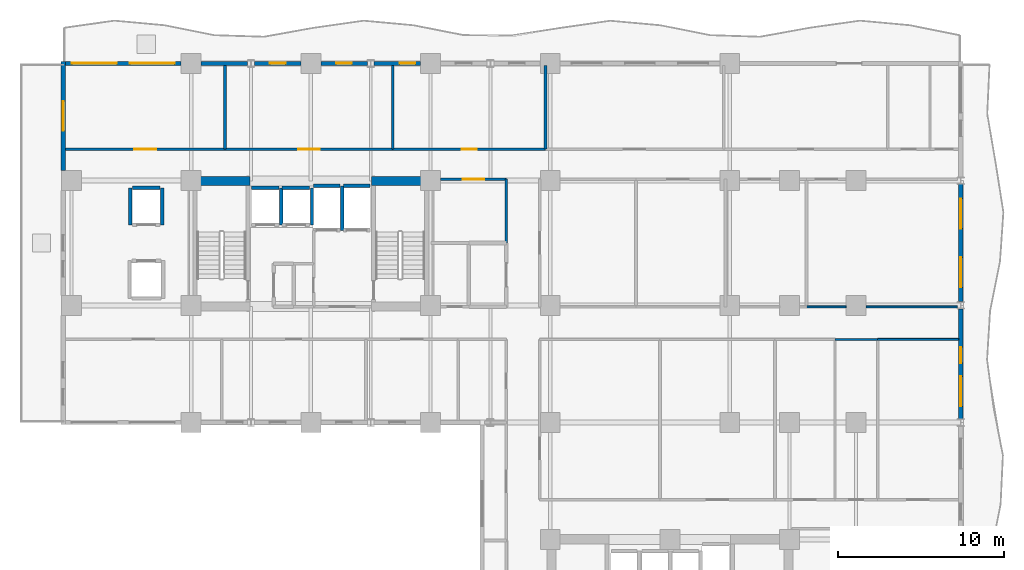
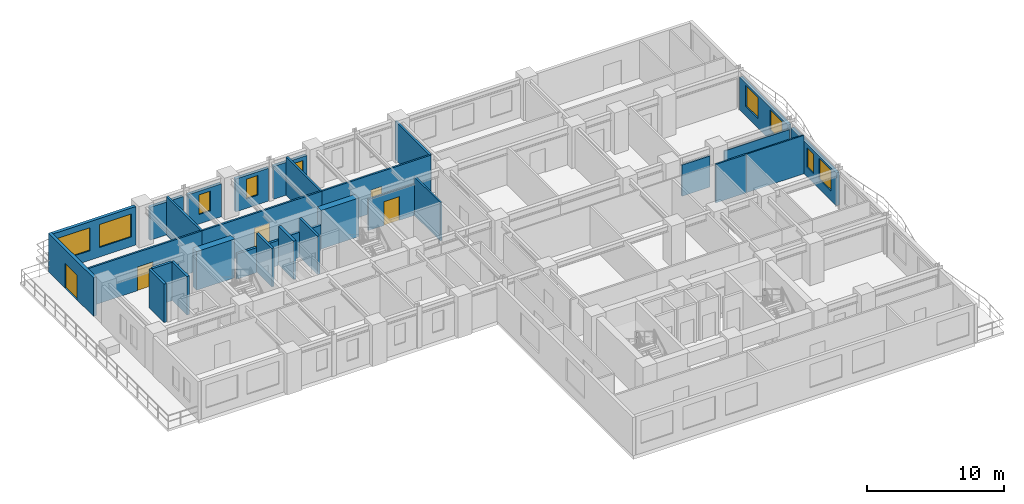
# One storey, part 6 of 11: 32 walls, 9 windows, 5 doors, 14 openings.
"""IFC4 building model written with IfcOpenShell, lengths in metres."""

from ifc_helpers import new_model, si_unit, direction, frame, frame_2d, origin, place, context, subcontext, project, spatial, rectangle, extrude, material, layer, layer_set, type_object, element, fill, save


model = new_model("IFC4")

# Units and contexts
model_context = context("Model", 3, precision=1e-05, world=origin(), true_north=direction((0.0, 1.0)))
body_context = subcontext(model_context, "Body", "Model", "MODEL_VIEW")
ifc_project = project(units=[si_unit("LENGTHUNIT", "METRE"), si_unit("AREAUNIT", "SQUARE_METRE"), si_unit("VOLUMEUNIT", "CUBIC_METRE"), si_unit("PLANEANGLEUNIT", "RADIAN"), si_unit("MASSUNIT", "GRAM", prefix="KILO")], contexts=[model_context])

# Site, building, storey
site_placement = place(None, origin())
site = spatial("IfcSite", under=ifc_project, at=site_placement, CompositionType="ELEMENT")
building_placement = place(site_placement, origin())
building = spatial("IfcBuilding", under=site, at=building_placement, Name="Kaliganga Portal Commons", CompositionType="ELEMENT")
storey_placement = place(building_placement, frame((0.0, 0.0, 78.60009765625)))
storey = spatial("IfcBuildingStorey", under=building, at=storey_placement, Name="L19", CompositionType="ELEMENT", Elevation=78.60009765625)

# Walls
ifc_material_1 = material(Name="Concrete C60/75", Category="concrete")
ifc_layer_1 = layer(ifc_material_1, 0.550048828125)
ifc_layer_set_1 = layer_set([ifc_layer_1], Name="Concrete C60/75")
wall_type_1 = type_object("IfcWallType", Name="WL-CORE-550", PredefinedType="SHEAR", material=ifc_layer_set_1)
for number, where, z_axis, x_axis, name in (
    (1, (14.75, 36.125, 0.0), (0.0, 0.0, 1.0), (1.0, 0.0, 0.0), "Core A N-West Shear Wall L19"),
    (2, (25.25, 36.125, 0.0), (0.0, 0.0, 1.0), (1.0, 0.0, 0.0), "Core A N-East Shear Wall L19"),
):
    element("IfcWall", number, at=place(storey_placement, frame(where, z_axis=z_axis, x_axis=x_axis)), inside=storey, type_object=wall_type_1, Name=name, PredefinedType="SHEAR", context=body_context, shape_type="SweptSolid", body=[
        extrude(rectangle(XDim=3.199951171875, YDim=0.550048828125, at=frame_2d((1.60009765625, 0.0))), origin(), (0.0, 0.0, 1.0), 3.449951171875),
    ])

# Wall, openings, windows
ifc_material_2 = material(Name="Insulated Aluminium-Clad Spandrel Assembly", Category="aluminium")
ifc_layer_2 = layer(ifc_material_2, 0.260009765625)
ifc_layer_set_2 = layer_set([ifc_layer_2], Name="Insulated Aluminium-Clad Spandrel Assembly")
wall_type_2 = type_object("IfcWallType", Name="WL-EXT-SPAND-260", PredefinedType="STANDARD", material=ifc_layer_set_2)
wall_1_placement = place(storey_placement, frame((60.699951171875, 28.43408203125, 0.0), z_axis=(0.0, 0.0, 1.0), x_axis=(0.0, -1.0, 0.0)))
wall_1 = element("IfcWall", 3, at=wall_1_placement, inside=storey, type_object=wall_type_2, Name="Exterior Envelope Wall L19 P1-E01-S4", PredefinedType="STANDARD", context=body_context, shape_type="SweptSolid", body=[
    extrude(rectangle(XDim=6.6181640625, YDim=0.260009765625, at=frame_2d((3.30908203125, 0.0))), origin(), (0.0, 0.0, 1.0), 2.929931640625),
])
opening_1_placement = place(wall_1_placement, frame((4.0634765625, 0.0, 0.85009765625)))
opening_1 = element("IfcOpeningElement", 4, at=opening_1_placement, cuts=wall_1, Name="Opening W-01", PredefinedType="OPENING", context=body_context, shape_type="SweptSolid", body=[
    extrude(rectangle(XDim=1.800048828125, YDim=1.85009765625, at=frame_2d((0.89990234375, 0.925048828125))), frame((0.0, 0.14013671875, 0.0), z_axis=(0.0, -1.0, 0.0), x_axis=(1.0, 0.0, 0.0)), (0.0, 0.0, 1.0), 0.280029296875),
])
opening_2_placement = place(wall_1_placement, frame((2.3046875, 0.0, 0.85009765625)))
opening_2 = element("IfcOpeningElement", 5, at=opening_2_placement, cuts=wall_1, Name="Opening W-04", PredefinedType="OPENING", context=body_context, shape_type="SweptSolid", body=[
    extrude(rectangle(XDim=0.949951171875, YDim=1.75, at=frame_2d((0.47509765625, 0.875))), frame((0.0, 0.14013671875, 0.0), z_axis=(0.0, -1.0, 0.0), x_axis=(1.0, 0.0, 0.0)), (0.0, 0.0, 1.0), 0.280029296875),
])
ifc_material_3 = material(Name="Thermally Broken Aluminium and Low-E Double Glazing", Category="aluminium")
window_type_1 = type_object("IfcWindowType", Name="WIN-NARROW-950", PartitioningType="SINGLE_PANEL", PredefinedType="WINDOW", material=ifc_material_3)
window_1_placement = place(opening_2_placement, origin())
window_1 = element("IfcWindow", 6, at=window_1_placement, inside=storey, type_object=window_type_1, Name="Facade Window L19-P1E01S4-N5", OverallHeight=1.75, OverallWidth=0.949951171875, PartitioningType="SINGLE_PANEL", PredefinedType="WINDOW", context=body_context, shape_type="SweptSolid", body=[
    extrude(rectangle(XDim=0.949951171875, YDim=1.75, at=frame_2d((0.47509765625, 0.875))), frame((0.0, 0.030029296875, 0.0), z_axis=(0.0, -1.0, 0.0), x_axis=(1.0, 0.0, 0.0)), (0.0, 0.0, 1.0), 0.06005859375),
])
fill(opening_2, window_1)
window_type_2 = type_object("IfcWindowType", Name="WIN-STD-1800", PartitioningType="DOUBLE_PANEL_VERTICAL", PredefinedType="WINDOW", material=ifc_material_3)
window_2_placement = place(opening_1_placement, origin())
window_2 = element("IfcWindow", 7, at=window_2_placement, inside=storey, type_object=window_type_2, Name="Facade Window L19-P1E01S4-01", OverallHeight=1.85009765625, OverallWidth=1.800048828125, PartitioningType="SINGLE_PANEL", PredefinedType="WINDOW", context=body_context, shape_type="SweptSolid", body=[
    extrude(rectangle(XDim=1.800048828125, YDim=1.85009765625, at=frame_2d((0.89990234375, 0.925048828125))), frame((0.0, 0.030029296875, 0.0), z_axis=(0.0, -1.0, 0.0), x_axis=(1.0, 0.0, 0.0)), (0.0, 0.0, 1.0), 0.06005859375),
])
fill(opening_1, window_2)

wall_2_placement = place(storey_placement, frame((60.699951171875, 35.93408203125, 0.0), z_axis=(0.0, 0.0, 1.0), x_axis=(0.0, -1.0, 0.0)))
wall_2 = element("IfcWall", 8, at=wall_2_placement, inside=storey, type_object=wall_type_2, Name="Exterior Envelope Wall L19 P1-E01-S5", PredefinedType="STANDARD", context=body_context, shape_type="SweptSolid", body=[
    extrude(rectangle(XDim=7.068115234375, YDim=0.260009765625, at=frame_2d((3.5341796875, 0.0))), origin(), (0.0, 0.0, 1.0), 2.929931640625),
])
opening_3_placement = place(wall_2_placement, frame((0.866943359375, 0.0, 0.85009765625)))
opening_3 = element("IfcOpeningElement", 9, at=opening_3_placement, cuts=wall_2, Name="Opening W-01", PredefinedType="OPENING", context=body_context, shape_type="SweptSolid", body=[
    extrude(rectangle(XDim=1.800048828125, YDim=1.85009765625, at=frame_2d((0.89990234375, 0.925048828125))), frame((0.0, 0.14013671875, 0.0), z_axis=(0.0, -1.0, 0.0), x_axis=(1.0, 0.0, 0.0)), (0.0, 0.0, 1.0), 0.280029296875),
])
opening_4_placement = place(wall_2_placement, frame((4.40087890625, 0.0, 0.85009765625)))
opening_4 = element("IfcOpeningElement", 10, at=opening_4_placement, cuts=wall_2, Name="Opening W-01", PredefinedType="OPENING", context=body_context, shape_type="SweptSolid", body=[
    extrude(rectangle(XDim=1.800048828125, YDim=1.85009765625, at=frame_2d((0.89990234375, 0.925048828125))), frame((0.0, 0.14013671875, 0.0), z_axis=(0.0, -1.0, 0.0), x_axis=(1.0, 0.0, 0.0)), (0.0, 0.0, 1.0), 0.280029296875),
])
window_3_placement = place(opening_3_placement, origin())
window_3 = element("IfcWindow", 11, at=window_3_placement, inside=storey, type_object=window_type_2, Name="Facade Window L19-P1E01S5-00", OverallHeight=1.85009765625, OverallWidth=1.800048828125, PartitioningType="SINGLE_PANEL", PredefinedType="WINDOW", context=body_context, shape_type="SweptSolid", body=[
    extrude(rectangle(XDim=1.800048828125, YDim=1.85009765625, at=frame_2d((0.89990234375, 0.925048828125))), frame((0.0, 0.030029296875, 0.0), z_axis=(0.0, -1.0, 0.0), x_axis=(1.0, 0.0, 0.0)), (0.0, 0.0, 1.0), 0.06005859375),
])
fill(opening_3, window_3)
window_4_placement = place(opening_4_placement, origin())
window_4 = element("IfcWindow", 12, at=window_4_placement, inside=storey, type_object=window_type_2, Name="Facade Window L19-P1E01S5-01", OverallHeight=1.85009765625, OverallWidth=1.800048828125, PartitioningType="SINGLE_PANEL", PredefinedType="WINDOW", context=body_context, shape_type="SweptSolid", body=[
    extrude(rectangle(XDim=1.800048828125, YDim=1.85009765625, at=frame_2d((0.89990234375, 0.925048828125))), frame((0.0, 0.030029296875, 0.0), z_axis=(0.0, -1.0, 0.0), x_axis=(1.0, 0.0, 0.0)), (0.0, 0.0, 1.0), 0.06005859375),
])
fill(opening_4, window_4)

# Wall, opening, window
wall_3_placement = place(storey_placement, frame((25.405517578125, 43.199951171875, 0.0), z_axis=(0.0, 0.0, 1.0), x_axis=(1.0, 0.0, 0.0)))
wall_3 = element("IfcWall", 13, at=wall_3_placement, inside=storey, type_object=wall_type_2, Name="Exterior Envelope Wall L19 P1-E02-S5", PredefinedType="STANDARD", context=body_context, shape_type="SweptSolid", body=[
    extrude(rectangle(XDim=2.79345703125, YDim=0.260009765625, at=frame_2d((1.396728515625, 0.0))), origin(), (0.0, 0.0, 1.0), 2.929931640625),
])
opening_5_placement = place(wall_3_placement, frame((1.536376953125, 0.0, 0.85009765625)))
opening_5 = element("IfcOpeningElement", 14, at=opening_5_placement, cuts=wall_3, Name="Opening W-04", PredefinedType="OPENING", context=body_context, shape_type="SweptSolid", body=[
    extrude(rectangle(XDim=0.949951171875, YDim=1.75, at=frame_2d((0.47509765625, 0.875))), frame((0.0, 0.14013671875, 0.0), z_axis=(0.0, -1.0, 0.0), x_axis=(1.0, 0.0, 0.0)), (0.0, 0.0, 1.0), 0.280029296875),
])
window_5_placement = place(opening_5_placement, origin())
window_5 = element("IfcWindow", 15, at=window_5_placement, inside=storey, type_object=window_type_1, Name="Facade Window L19-P1E02S5-N4", OverallHeight=1.75, OverallWidth=0.949951171875, PartitioningType="SINGLE_PANEL", PredefinedType="WINDOW", context=body_context, shape_type="SweptSolid", body=[
    extrude(rectangle(XDim=0.949951171875, YDim=1.75, at=frame_2d((0.47509765625, 0.875))), frame((0.0, 0.030029296875, 0.0), z_axis=(0.0, -1.0, 0.0), x_axis=(1.0, 0.0, 0.0)), (0.0, 0.0, 1.0), 0.06005859375),
])
fill(opening_5, window_5)

wall_4_placement = place(storey_placement, frame((22.200927734375, 43.199951171875, 0.0), z_axis=(0.0, 0.0, 1.0), x_axis=(1.0, 0.0, 0.0)))
wall_4 = element("IfcWall", 16, at=wall_4_placement, inside=storey, type_object=wall_type_2, Name="Exterior Envelope Wall L19 P1-E02-S6", PredefinedType="STANDARD", context=body_context, shape_type="SweptSolid", body=[
    extrude(rectangle(XDim=2.79345703125, YDim=0.260009765625, at=frame_2d((1.396728515625, 0.0))), origin(), (0.0, 0.0, 1.0), 2.929931640625),
])
opening_6_placement = place(wall_4_placement, frame((0.921630859375, 0.0, 0.85009765625)))
opening_6 = element("IfcOpeningElement", 17, at=opening_6_placement, cuts=wall_4, Name="Opening W-04", PredefinedType="OPENING", context=body_context, shape_type="SweptSolid", body=[
    extrude(rectangle(XDim=0.949951171875, YDim=1.75, at=frame_2d((0.47509765625, 0.875))), frame((0.0, 0.14013671875, 0.0), z_axis=(0.0, -1.0, 0.0), x_axis=(1.0, 0.0, 0.0)), (0.0, 0.0, 1.0), 0.280029296875),
])
window_6_placement = place(opening_6_placement, origin())
window_6 = element("IfcWindow", 18, at=window_6_placement, inside=storey, type_object=window_type_1, Name="Facade Window L19-P1E02S6-00", OverallHeight=1.75, OverallWidth=0.949951171875, PartitioningType="SINGLE_PANEL", PredefinedType="WINDOW", context=body_context, shape_type="SweptSolid", body=[
    extrude(rectangle(XDim=0.949951171875, YDim=1.75, at=frame_2d((0.47509765625, 0.875))), frame((0.0, 0.030029296875, 0.0), z_axis=(0.0, -1.0, 0.0), x_axis=(1.0, 0.0, 0.0)), (0.0, 0.0, 1.0), 0.06005859375),
])
fill(opening_6, window_6)

wall_5_placement = place(storey_placement, frame((18.20556640625, 43.199951171875, 0.0), z_axis=(0.0, 0.0, 1.0), x_axis=(1.0, 0.0, 0.0)))
wall_5 = element("IfcWall", 19, at=wall_5_placement, inside=storey, type_object=wall_type_2, Name="Exterior Envelope Wall L19 P1-E02-S7", PredefinedType="STANDARD", context=body_context, shape_type="SweptSolid", body=[
    extrude(rectangle(XDim=2.79345703125, YDim=0.260009765625, at=frame_2d((1.396728515625, 0.0))), origin(), (0.0, 0.0, 1.0), 2.929931640625),
])
opening_7_placement = place(wall_5_placement, frame((0.921630859375, 0.0, 0.85009765625)))
opening_7 = element("IfcOpeningElement", 20, at=opening_7_placement, cuts=wall_5, Name="Opening W-04", PredefinedType="OPENING", context=body_context, shape_type="SweptSolid", body=[
    extrude(rectangle(XDim=0.949951171875, YDim=1.75, at=frame_2d((0.47509765625, 0.875))), frame((0.0, 0.14013671875, 0.0), z_axis=(0.0, -1.0, 0.0), x_axis=(1.0, 0.0, 0.0)), (0.0, 0.0, 1.0), 0.280029296875),
])
window_7_placement = place(opening_7_placement, origin())
window_7 = element("IfcWindow", 21, at=window_7_placement, inside=storey, type_object=window_type_1, Name="Facade Window L19-P1E02S7-00", OverallHeight=1.75, OverallWidth=0.949951171875, PartitioningType="SINGLE_PANEL", PredefinedType="WINDOW", context=body_context, shape_type="SweptSolid", body=[
    extrude(rectangle(XDim=0.949951171875, YDim=1.75, at=frame_2d((0.47509765625, 0.875))), frame((0.0, 0.030029296875, 0.0), z_axis=(0.0, -1.0, 0.0), x_axis=(1.0, 0.0, 0.0)), (0.0, 0.0, 1.0), 0.06005859375),
])
fill(opening_7, window_7)

# Wall
wall_6_placement = place(storey_placement, frame((15.0009765625, 43.199951171875, 0.0), z_axis=(0.0, 0.0, 1.0), x_axis=(1.0, 0.0, 0.0)))
element("IfcWall", 22, at=wall_6_placement, inside=storey, type_object=wall_type_2, Name="Exterior Envelope Wall L19 P1-E02-S8", PredefinedType="STANDARD", context=body_context, shape_type="SweptSolid", body=[
    extrude(rectangle(XDim=2.79345703125, YDim=0.260009765625, at=frame_2d((1.396728515625, 0.0))), origin(), (0.0, 0.0, 1.0), 2.929931640625),
])

# Wall, openings, windows
wall_7_placement = place(storey_placement, frame((6.8349609375, 43.199951171875, 0.0), z_axis=(0.0, 0.0, 1.0), x_axis=(1.0, 0.0, 0.0)))
wall_7 = element("IfcWall", 23, at=wall_7_placement, inside=storey, type_object=wall_type_2, Name="Exterior Envelope Wall L19 P1-E02-S9", PredefinedType="STANDARD", context=body_context, shape_type="SweptSolid", body=[
    extrude(rectangle(XDim=6.964111328125, YDim=0.260009765625, at=frame_2d((3.48193359375, 0.0))), origin(), (0.0, 0.0, 1.0), 3.429931640625),
])
opening_8_placement = place(wall_7_placement, frame((0.39111328125, 0.0, 0.85009765625)))
opening_8 = element("IfcOpeningElement", 24, at=opening_8_placement, cuts=wall_7, Name="Opening W-07", PredefinedType="OPENING", context=body_context, shape_type="SweptSolid", body=[
    extrude(rectangle(XDim=2.699951171875, YDim=2.050048828125, at=frame_2d((1.35009765625, 1.02490234375))), frame((0.0, 0.14013671875, 0.0), z_axis=(0.0, -1.0, 0.0), x_axis=(1.0, 0.0, 0.0)), (0.0, 0.0, 1.0), 0.280029296875),
])
opening_9_placement = place(wall_7_placement, frame((3.873046875, 0.0, 0.85009765625)))
opening_9 = element("IfcOpeningElement", 25, at=opening_9_placement, cuts=wall_7, Name="Opening W-07", PredefinedType="OPENING", context=body_context, shape_type="SweptSolid", body=[
    extrude(rectangle(XDim=2.699951171875, YDim=2.050048828125, at=frame_2d((1.35009765625, 1.02490234375))), frame((0.0, 0.14013671875, 0.0), z_axis=(0.0, -1.0, 0.0), x_axis=(1.0, 0.0, 0.0)), (0.0, 0.0, 1.0), 0.280029296875),
])
window_type_3 = type_object("IfcWindowType", Name="WIN-LOUNGE-2700", PartitioningType="TRIPLE_PANEL_VERTICAL", PredefinedType="WINDOW", material=ifc_material_3)
window_8_placement = place(opening_8_placement, origin())
window_8 = element("IfcWindow", 26, at=window_8_placement, inside=storey, type_object=window_type_3, Name="Facade Window L19-P1E02S9-00", OverallHeight=2.050048828125, OverallWidth=2.699951171875, PartitioningType="SINGLE_PANEL", PredefinedType="WINDOW", context=body_context, shape_type="SweptSolid", body=[
    extrude(rectangle(XDim=2.699951171875, YDim=2.050048828125, at=frame_2d((1.35009765625, 1.02490234375))), frame((0.0, 0.030029296875, 0.0), z_axis=(0.0, -1.0, 0.0), x_axis=(1.0, 0.0, 0.0)), (0.0, 0.0, 1.0), 0.06005859375),
])
fill(opening_8, window_8)
window_9_placement = place(opening_9_placement, origin())
window_9 = element("IfcWindow", 27, at=window_9_placement, inside=storey, type_object=window_type_3, Name="Facade Window L19-P1E02S9-01", OverallHeight=2.050048828125, OverallWidth=2.699951171875, PartitioningType="SINGLE_PANEL", PredefinedType="WINDOW", context=body_context, shape_type="SweptSolid", body=[
    extrude(rectangle(XDim=2.699951171875, YDim=2.050048828125, at=frame_2d((1.35009765625, 1.02490234375))), frame((0.0, 0.030029296875, 0.0), z_axis=(0.0, -1.0, 0.0), x_axis=(1.0, 0.0, 0.0)), (0.0, 0.0, 1.0), 0.06005859375),
])
fill(opening_9, window_9)

# Wall, opening, door
wall_8_placement = place(storey_placement, frame((6.699951171875, 36.7509765625, 0.0), z_axis=(0.0, 0.0, 1.0), x_axis=(0.0, 1.0, 0.0)))
wall_8 = element("IfcWall", 28, at=wall_8_placement, inside=storey, type_object=wall_type_2, Name="Exterior Envelope Wall L19 P1-E03-S1", PredefinedType="STANDARD", context=body_context, shape_type="SweptSolid", body=[
    extrude(rectangle(XDim=6.5791015625, YDim=0.260009765625, at=frame_2d((3.28955078125, 0.0))), origin(), (0.0, 0.0, 1.0), 3.429931640625),
])
opening_10_placement = place(wall_8_placement, frame((2.389892578125, 0.0, 0.0)))
opening_10 = element("IfcOpeningElement", 29, at=opening_10_placement, cuts=wall_8, Name="Opening TD-01", PredefinedType="OPENING", context=body_context, shape_type="SweptSolid", body=[
    extrude(rectangle(XDim=1.800048828125, YDim=2.199951171875, at=frame_2d((0.89990234375, 1.10009765625))), frame((0.0, 0.14013671875, 0.0), z_axis=(0.0, -1.0, 0.0), x_axis=(1.0, 0.0, 0.0)), (0.0, 0.0, 1.0), 0.280029296875),
])
ifc_material_4 = material(Name="Anodized Aluminium and Laminated Safety Glass", Category="aluminium")
door_type_1 = type_object("IfcDoorType", Name="DR-TERR-1800", OperationType="DOUBLE_DOOR_SINGLE_SWING", PredefinedType="DOOR", material=ifc_material_4)
door_1_placement = place(opening_10_placement, origin())
door_1 = element("IfcDoor", 30, at=door_1_placement, inside=storey, type_object=door_type_1, Name="Terrace Access Door L19 skygarden_l19", OperationType="DOUBLE_DOOR_SINGLE_SWING", OverallHeight=2.199951171875, OverallWidth=1.800048828125, PredefinedType="DOOR", context=body_context, shape_type="SweptSolid", body=[
    extrude(rectangle(XDim=1.800048828125, YDim=2.199951171875, at=frame_2d((0.89990234375, 1.10009765625))), frame((0.0, 0.02490234375, 0.0), z_axis=(0.0, -1.0, 0.0), x_axis=(1.0, 0.0, 0.0)), (0.0, 0.0, 1.0), 0.050048828125),
])
fill(opening_10, door_1)

ifc_material_5 = material(Name="Fire-Rated Gypsum Board on Steel Stud", Category="steel")
ifc_layer_3 = layer(ifc_material_5, 0.14990234375)
ifc_layer_set_3 = layer_set([ifc_layer_3], Name="Fire-Rated Gypsum Board on Steel Stud")
wall_type_3 = type_object("IfcWallType", Name="WL-PART-CORR-150", PredefinedType="PARTITIONING", material=ifc_layer_set_3)
wall_9_placement = place(storey_placement, frame((16.43994140625, 38.0400390625, 0.0), z_axis=(0.0, 0.0, 1.0), x_axis=(1.0, 0.0, 0.0)))
wall_9 = element("IfcWall", 31, at=wall_9_placement, inside=storey, type_object=wall_type_3, Name="Interior Partition L19-007", PredefinedType="PARTITIONING", context=body_context, shape_type="SweptSolid", body=[
    extrude(rectangle(XDim=10.080078125, YDim=0.14990234375, at=frame_2d((5.0400390625, 0.0))), origin(), (0.0, 0.0, 1.0), 3.429931640625),
])
opening_11_placement = place(wall_9_placement, frame((4.389892578125, 0.0, 0.0)))
opening_11 = element("IfcOpeningElement", 32, at=opening_11_placement, cuts=wall_9, Name="Opening RD-03", PredefinedType="OPENING", context=body_context, shape_type="SweptSolid", body=[
    extrude(rectangle(XDim=1.300048828125, YDim=2.1201171875, at=frame_2d((0.64990234375, 1.06005859375))), frame((0.0, 0.0849609375, 0.0), z_axis=(0.0, -1.0, 0.0), x_axis=(1.0, 0.0, 0.0)), (0.0, 0.0, 1.0), 0.169921875),
])
ifc_material_6 = material(Name="Glazed Timber Seminar Vision Door", Category="wood")
door_type_2 = type_object("IfcDoorType", Name="DR-STUDY-1300", OperationType="DOUBLE_DOOR_SINGLE_SWING", PredefinedType="DOOR", material=ifc_material_6)
door_2_placement = place(opening_11_placement, origin())
door_2 = element("IfcDoor", 33, at=door_2_placement, inside=storey, type_object=door_type_2, Name="Interior Door L19-AN02", OperationType="DOUBLE_DOOR_SINGLE_SWING", OverallHeight=2.1201171875, OverallWidth=1.300048828125, PredefinedType="DOOR", context=body_context, shape_type="SweptSolid", body=[
    extrude(rectangle(XDim=1.300048828125, YDim=2.1201171875, at=frame_2d((0.64990234375, 1.06005859375))), frame((0.0, 0.02490234375, 0.0), z_axis=(0.0, -1.0, 0.0), x_axis=(1.0, 0.0, 0.0)), (0.0, 0.0, 1.0), 0.050048828125),
])
fill(opening_11, door_2)

wall_10_placement = place(storey_placement, frame((6.83203125, 38.0400390625, 0.0), z_axis=(0.0, 0.0, 1.0), x_axis=(1.0, 0.0, 0.0)))
wall_10 = element("IfcWall", 34, at=wall_10_placement, inside=storey, type_object=wall_type_3, Name="Interior Partition L19-009", PredefinedType="PARTITIONING", context=body_context, shape_type="SweptSolid", body=[
    extrude(rectangle(XDim=9.60791015625, YDim=0.14990234375, at=frame_2d((4.803955078125, 0.0))), origin(), (0.0, 0.0, 1.0), 3.429931640625),
])
opening_12_placement = place(wall_10_placement, frame((4.154052734375, 0.0, 0.0)))
opening_12 = element("IfcOpeningElement", 35, at=opening_12_placement, cuts=wall_10, Name="Opening RD-03", PredefinedType="OPENING", context=body_context, shape_type="SweptSolid", body=[
    extrude(rectangle(XDim=1.300048828125, YDim=2.1201171875, at=frame_2d((0.64990234375, 1.06005859375))), frame((0.0, 0.0849609375, 0.0), z_axis=(0.0, -1.0, 0.0), x_axis=(1.0, 0.0, 0.0)), (0.0, 0.0, 1.0), 0.169921875),
])
door_3_placement = place(opening_12_placement, origin())
door_3 = element("IfcDoor", 36, at=door_3_placement, inside=storey, type_object=door_type_2, Name="Interior Door L19-AN01", OperationType="DOUBLE_DOOR_SINGLE_SWING", OverallHeight=2.1201171875, OverallWidth=1.300048828125, PredefinedType="DOOR", context=body_context, shape_type="SweptSolid", body=[
    extrude(rectangle(XDim=1.300048828125, YDim=2.1201171875, at=frame_2d((0.64990234375, 1.06005859375))), frame((0.0, 0.02490234375, 0.0), z_axis=(0.0, -1.0, 0.0), x_axis=(1.0, 0.0, 0.0)), (0.0, 0.0, 1.0), 0.050048828125),
])
fill(opening_12, door_3)

wall_11_placement = place(storey_placement, frame((26.52001953125, 38.0400390625, 0.0), z_axis=(0.0, 0.0, 1.0), x_axis=(1.0, 0.0, 0.0)))
wall_11 = element("IfcWall", 37, at=wall_11_placement, inside=storey, type_object=wall_type_3, Name="Interior Partition L19-014", PredefinedType="PARTITIONING", context=body_context, shape_type="SweptSolid", body=[
    extrude(rectangle(XDim=9.199951171875, YDim=0.14990234375, at=frame_2d((4.60009765625, 0.0))), origin(), (0.0, 0.0, 1.0), 3.429931640625),
])
opening_13_placement = place(wall_11_placement, frame((4.14990234375, 0.0, 0.0)))
opening_13 = element("IfcOpeningElement", 38, at=opening_13_placement, cuts=wall_11, Name="Opening RD-01", PredefinedType="OPENING", context=body_context, shape_type="SweptSolid", body=[
    extrude(rectangle(XDim=0.89990234375, YDim=2.080078125, at=frame_2d((0.449951171875, 1.0400390625))), frame((0.0, 0.0849609375, 0.0), z_axis=(0.0, -1.0, 0.0), x_axis=(1.0, 0.0, 0.0)), (0.0, 0.0, 1.0), 0.169921875),
])
ifc_material_7 = material(Name="Engineered Timber Flush Door", Category="wood")
door_type_3 = type_object("IfcDoorType", Name="DR-ROOM-900", OperationType="NOTDEFINED", PredefinedType="DOOR", material=ifc_material_7)
door_4_placement = place(opening_13_placement, origin())
door_4 = element("IfcDoor", 39, at=door_4_placement, inside=storey, type_object=door_type_3, Name="Interior Door L19-AN03", OperationType="SINGLE_SWING_RIGHT", OverallHeight=2.080078125, OverallWidth=0.89990234375, PredefinedType="DOOR", context=body_context, shape_type="SweptSolid", body=[
    extrude(rectangle(XDim=0.89990234375, YDim=2.080078125, at=frame_2d((0.449951171875, 1.0400390625))), frame((0.0, 0.02490234375, 0.0), z_axis=(0.0, -1.0, 0.0), x_axis=(1.0, 0.0, 0.0)), (0.0, 0.0, 1.0), 0.050048828125),
])
fill(opening_13, door_4)

wall_12_placement = place(storey_placement, frame((29.39990234375, 36.239990234375, 0.0), z_axis=(0.0, 0.0, 1.0), x_axis=(1.0, 0.0, 0.0)))
wall_12 = element("IfcWall", 40, at=wall_12_placement, inside=storey, type_object=wall_type_3, Name="Interior Partition L19-029", PredefinedType="PARTITIONING", context=body_context, shape_type="SweptSolid", body=[
    extrude(rectangle(XDim=3.960205078125, YDim=0.14990234375, at=frame_2d((1.97998046875, 0.0))), origin(), (0.0, 0.0, 1.0), 2.77978515625),
])
opening_14_placement = place(wall_12_placement, frame((1.330078125, 0.0, 0.0)))
opening_14 = element("IfcOpeningElement", 41, at=opening_14_placement, cuts=wall_12, Name="Opening RD-03", PredefinedType="OPENING", context=body_context, shape_type="SweptSolid", body=[
    extrude(rectangle(XDim=1.300048828125, YDim=2.1201171875, at=frame_2d((0.64990234375, 1.06005859375))), frame((0.0, 0.0849609375, 0.0), z_axis=(0.0, -1.0, 0.0), x_axis=(1.0, 0.0, 0.0)), (0.0, 0.0, 1.0), 0.169921875),
])
door_5_placement = place(opening_14_placement, origin())
door_5 = element("IfcDoor", 42, at=door_5_placement, inside=storey, type_object=door_type_2, Name="Interior Door L19-CSRV_A2", OperationType="DOUBLE_DOOR_SINGLE_SWING", OverallHeight=2.1201171875, OverallWidth=1.300048828125, PredefinedType="DOOR", context=body_context, shape_type="SweptSolid", body=[
    extrude(rectangle(XDim=1.300048828125, YDim=2.1201171875, at=frame_2d((0.64990234375, 1.06005859375))), frame((0.0, 0.02490234375, 0.0), z_axis=(0.0, -1.0, 0.0), x_axis=(1.0, 0.0, 0.0)), (0.0, 0.0, 1.0), 0.050048828125),
])
fill(opening_14, door_5)

# Walls
wall_13_placement = place(storey_placement, frame((33.360107421875, 32.39990234375, 0.0), z_axis=(0.0, 0.0, 1.0), x_axis=(0.0, 1.0, 0.0)))
element("IfcWall", 43, at=wall_13_placement, inside=storey, type_object=wall_type_3, Name="Interior Partition L19-030", PredefinedType="PARTITIONING", context=body_context, shape_type="SweptSolid", body=[
    extrude(rectangle(XDim=3.840087890625, YDim=0.14990234375, at=frame_2d((1.919921875, 0.0))), origin(), (0.0, 0.0, 1.0), 3.429931640625),
])
ifc_material_8 = material(Name="Moisture-Resistant Gypsum Partition", Category="gypsum")
ifc_layer_4 = layer(ifc_material_8, 0.114990234375)
ifc_layer_set_4 = layer_set([ifc_layer_4], Name="Moisture-Resistant Gypsum Partition")
wall_type_4 = type_object("IfcWallType", Name="WL-PART-ROOM-115", PredefinedType="PARTITIONING", material=ifc_layer_set_4)
wall_14_placement = place(storey_placement, frame((51.419921875, 28.56005859375, 0.0), z_axis=(0.0, 0.0, 1.0), x_axis=(1.0, 0.0, 0.0)))
element("IfcWall", 44, at=wall_14_placement, inside=storey, type_object=wall_type_4, Name="Interior Partition L19-050", PredefinedType="PARTITIONING", context=body_context, shape_type="SweptSolid", body=[
    extrude(rectangle(XDim=2.380126953125, YDim=0.114990234375, at=frame_2d((1.18994140625, 0.0))), origin(), (0.0, 0.0, 1.0), 2.77978515625),
])
wall_15_placement = place(storey_placement, frame((55.0, 28.56005859375, 0.0), z_axis=(0.0, 0.0, 1.0), x_axis=(1.0, 0.0, 0.0)))
element("IfcWall", 45, at=wall_15_placement, inside=storey, type_object=wall_type_4, Name="Interior Partition L19-051", PredefinedType="PARTITIONING", context=body_context, shape_type="SweptSolid", body=[
    extrude(rectangle(XDim=5.49560546875, YDim=0.114990234375, at=frame_2d((2.747802734375, 0.0))), origin(), (0.0, 0.0, 1.0), 2.77978515625),
])
wall_16_placement = place(storey_placement, frame((55.699951171875, 26.60009765625, 0.0), z_axis=(0.0, 0.0, 1.0), x_axis=(1.0, 0.0, 0.0)))
element("IfcWall", 46, at=wall_16_placement, inside=storey, type_object=wall_type_4, Name="Interior Partition L19-065", PredefinedType="PARTITIONING", context=body_context, shape_type="SweptSolid", body=[
    extrude(rectangle(XDim=4.8681640625, YDim=0.114990234375, at=frame_2d((2.43408203125, 0.0))), origin(), (0.0, 0.0, 1.0), 3.429931640625),
])
ifc_material_9 = material(Name="Twin-Stud Acoustic Gypsum Partition", Category="gypsum")
ifc_layer_5 = layer(ifc_material_9, 0.1650390625)
ifc_layer_set_5 = layer_set([ifc_layer_5], Name="Twin-Stud Acoustic Gypsum Partition")
wall_type_5 = type_object("IfcWallType", Name="WL-PART-UNIT-165", PredefinedType="PARTITIONING", material=ifc_layer_set_5)
for number, where, z_axis, x_axis, name in (
    (47, (16.43994140625, 38.0400390625, 0.0), (0.0, 0.0, 1.0), (0.0, 1.0, 0.0), "Interior Partition L19-059"),
    (48, (26.52001953125, 38.0400390625, 0.0), (0.0, 0.0, 1.0), (0.0, 1.0, 0.0), "Interior Partition L19-060"),
    (49, (35.719970703125, 38.0400390625, 0.0), (0.0, 0.0, 1.0), (0.0, 1.0, 0.0), "Interior Partition L19-061"),
):
    element("IfcWall", number, at=place(storey_placement, frame(where, z_axis=z_axis, x_axis=x_axis)), inside=storey, type_object=wall_type_5, Name=name, PredefinedType="PARTITIONING", context=body_context, shape_type="SweptSolid", body=[
        extrude(rectangle(XDim=5.028076171875, YDim=0.1650390625, at=frame_2d((2.51416015625, 0.0))), origin(), (0.0, 0.0, 1.0), 3.429931640625),
    ])
ifc_material_10 = material(Name="Cement-Board Wet-Room Partition", Category="gypsum")
ifc_layer_6 = layer(ifc_material_10, 0.135009765625)
ifc_layer_set_6 = layer_set([ifc_layer_6], Name="Cement-Board Wet-Room Partition")
wall_type_6 = type_object("IfcWallType", Name="WL-PART-WET-135", PredefinedType="PARTITIONING", material=ifc_layer_set_6)
wall_17_placement = place(storey_placement, frame((53.139892578125, 26.60009765625, 0.0), z_axis=(0.0, 0.0, 1.0), x_axis=(1.0, 0.0, 0.0)))
element("IfcWall", 50, at=wall_17_placement, inside=storey, type_object=wall_type_6, Name="Interior Partition L19-077", PredefinedType="PARTITIONING", context=body_context, shape_type="SweptSolid", body=[
    extrude(rectangle(XDim=2.56005859375, YDim=0.135009765625, at=frame_2d((1.280029296875, 0.0))), origin(), (0.0, 0.0, 1.0), 3.429931640625),
])
ifc_material_11 = material(Name="Fire-Rated Shaftwall Masonry Assembly", Category="masonry")
ifc_layer_7 = layer(ifc_material_11, 0.199951171875)
ifc_layer_set_7 = layer_set([ifc_layer_7], Name="Fire-Rated Shaftwall Masonry Assembly")
wall_type_7 = type_object("IfcWallType", Name="WL-SHAFT-200", PredefinedType="PARTITIONING", material=ifc_layer_set_7)
wall_18_placement = place(storey_placement, frame((18.02490234375, 35.715087890625, 0.0), z_axis=(0.0, 0.0, 1.0), x_axis=(1.0, 0.0, 0.0)))
element("IfcWall", 51, at=wall_18_placement, inside=storey, type_object=wall_type_7, Name="Lift PL-A1 Hoistway Shaft Wall L19-N", PredefinedType="PARTITIONING", context=body_context, shape_type="SweptSolid", body=[
    extrude(rectangle(XDim=1.650146484375, YDim=0.199951171875, at=frame_2d((0.8251953125, 0.0))), origin(), (0.0, 0.0, 1.0), 2.22998046875),
])
wall_19_placement = place(storey_placement, frame((19.81494140625, 33.485107421875, 0.0), z_axis=(0.0, 0.0, 1.0), x_axis=(0.0, 1.0, 0.0)))
element("IfcWall", 52, at=wall_19_placement, inside=storey, type_object=wall_type_7, Name="Lift PL-A1 Hoistway Shaft Wall L19-E", PredefinedType="PARTITIONING", context=body_context, shape_type="SweptSolid", body=[
    extrude(rectangle(XDim=2.22998046875, YDim=0.199951171875, at=frame_2d((1.114990234375, 0.0))), origin(), (0.0, 0.0, 1.0), 3.429931640625),
])
wall_20_placement = place(storey_placement, frame((19.875, 35.715087890625, 0.0), z_axis=(0.0, 0.0, 1.0), x_axis=(1.0, 0.0, 0.0)))
element("IfcWall", 53, at=wall_20_placement, inside=storey, type_object=wall_type_7, Name="Lift PL-A2 Hoistway Shaft Wall L19-N", PredefinedType="PARTITIONING", context=body_context, shape_type="SweptSolid", body=[
    extrude(rectangle(XDim=1.64990234375, YDim=0.199951171875, at=frame_2d((0.824951171875, 0.0))), origin(), (0.0, 0.0, 1.0), 2.22998046875),
])
wall_21_placement = place(storey_placement, frame((21.6650390625, 33.485107421875, 0.0), z_axis=(0.0, 0.0, 1.0), x_axis=(0.0, 1.0, 0.0)))
element("IfcWall", 54, at=wall_21_placement, inside=storey, type_object=wall_type_7, Name="Lift PL-A2 Hoistway Shaft Wall L19-E", PredefinedType="PARTITIONING", context=body_context, shape_type="SweptSolid", body=[
    extrude(rectangle(XDim=2.22998046875, YDim=0.199951171875, at=frame_2d((1.114990234375, 0.0))), origin(), (0.0, 0.0, 1.0), 3.429931640625),
])
wall_22_placement = place(storey_placement, frame((10.875, 35.715087890625, 0.0), z_axis=(0.0, 0.0, 1.0), x_axis=(1.0, 0.0, 0.0)))
element("IfcWall", 55, at=wall_22_placement, inside=storey, type_object=wall_type_7, Name="Lift PL-OBS Hoistway Shaft Wall L19-N", PredefinedType="PARTITIONING", context=body_context, shape_type="SweptSolid", body=[
    extrude(rectangle(XDim=1.64990234375, YDim=0.199951171875, at=frame_2d((0.824951171875, 0.0))), origin(), (0.0, 0.0, 1.0), 3.429931640625),
])
for number, where, z_axis, x_axis, name in (
    (56, (10.735107421875, 33.485107421875, 0.0), (0.0, 0.0, 1.0), (0.0, 1.0, 0.0), "Lift PL-OBS Hoistway Shaft Wall L19-W"),
    (57, (12.6650390625, 33.485107421875, 0.0), (0.0, 0.0, 1.0), (0.0, 1.0, 0.0), "Lift PL-OBS Hoistway Shaft Wall L19-E"),
):
    element("IfcWall", number, at=place(storey_placement, frame(where, z_axis=z_axis, x_axis=x_axis)), inside=storey, type_object=wall_type_7, Name=name, PredefinedType="PARTITIONING", context=body_context, shape_type="SweptSolid", body=[
        extrude(rectangle(XDim=2.22998046875, YDim=0.199951171875, at=frame_2d((1.114990234375, 0.0))), origin(), (0.0, 0.0, 1.0), 3.429931640625),
    ])
wall_23_placement = place(storey_placement, frame((21.75, 35.840087890625, 0.0), z_axis=(0.0, 0.0, 1.0), x_axis=(1.0, 0.0, 0.0)))
element("IfcWall", 58, at=wall_23_placement, inside=storey, type_object=wall_type_7, Name="Lift FFL-1 Hoistway Shaft Wall L19-N", PredefinedType="PARTITIONING", context=body_context, shape_type="SweptSolid", body=[
    extrude(rectangle(XDim=1.60009765625, YDim=0.199951171875, at=frame_2d((0.800048828125, 0.0))), origin(), (0.0, 0.0, 1.0), 2.22998046875),
])
wall_24_placement = place(storey_placement, frame((23.489990234375, 33.159912109375, 0.0), z_axis=(0.0, 0.0, 1.0), x_axis=(0.0, 1.0, 0.0)))
element("IfcWall", 59, at=wall_24_placement, inside=storey, type_object=wall_type_7, Name="Lift FFL-1 Hoistway Shaft Wall L19-E", PredefinedType="PARTITIONING", context=body_context, shape_type="SweptSolid", body=[
    extrude(rectangle(XDim=2.68017578125, YDim=0.199951171875, at=frame_2d((1.340087890625, 0.0))), origin(), (0.0, 0.0, 1.0), 3.429931640625),
])
wall_25_placement = place(storey_placement, frame((23.550048828125, 35.840087890625, 0.0), z_axis=(0.0, 0.0, 1.0), x_axis=(1.0, 0.0, 0.0)))
element("IfcWall", 60, at=wall_25_placement, inside=storey, type_object=wall_type_7, Name="Lift FFL-2 Hoistway Shaft Wall L19-N", PredefinedType="PARTITIONING", context=body_context, shape_type="SweptSolid", body=[
    extrude(rectangle(XDim=1.599853515625, YDim=0.199951171875, at=frame_2d((0.7998046875, 0.0))), origin(), (0.0, 0.0, 1.0), 2.22998046875),
])

save(model, "model.ifc")
